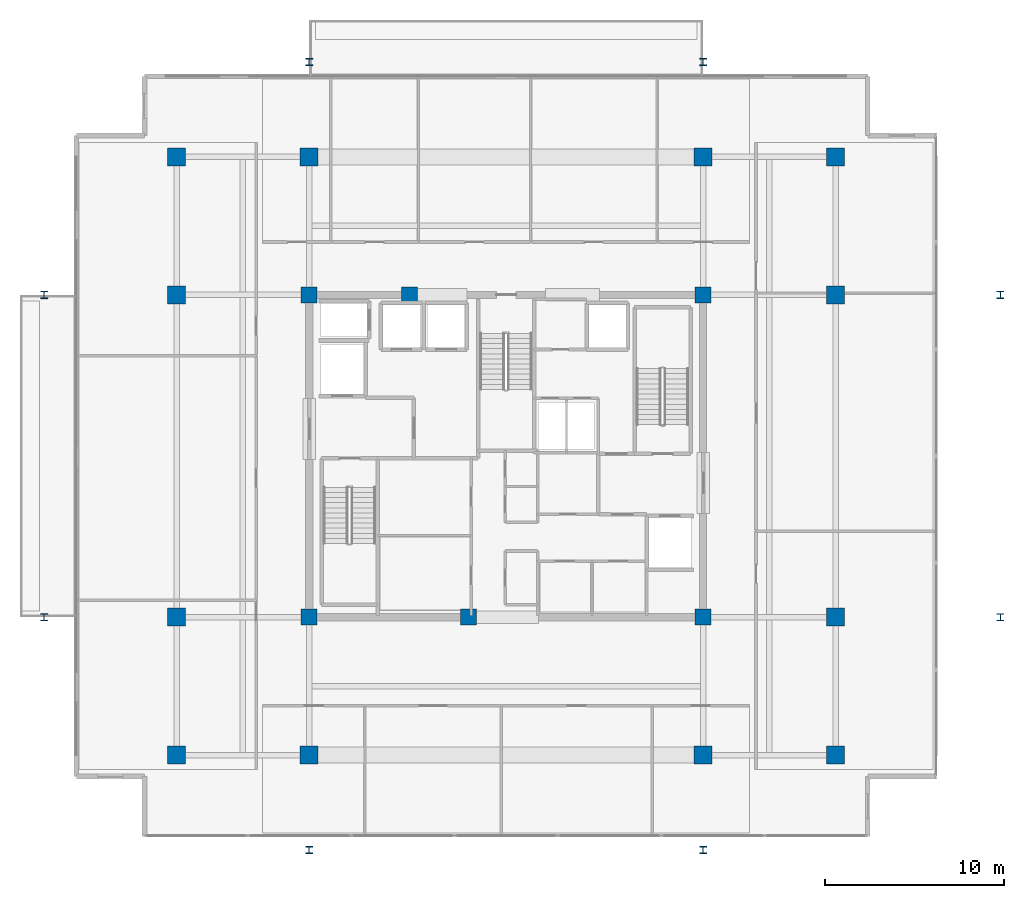
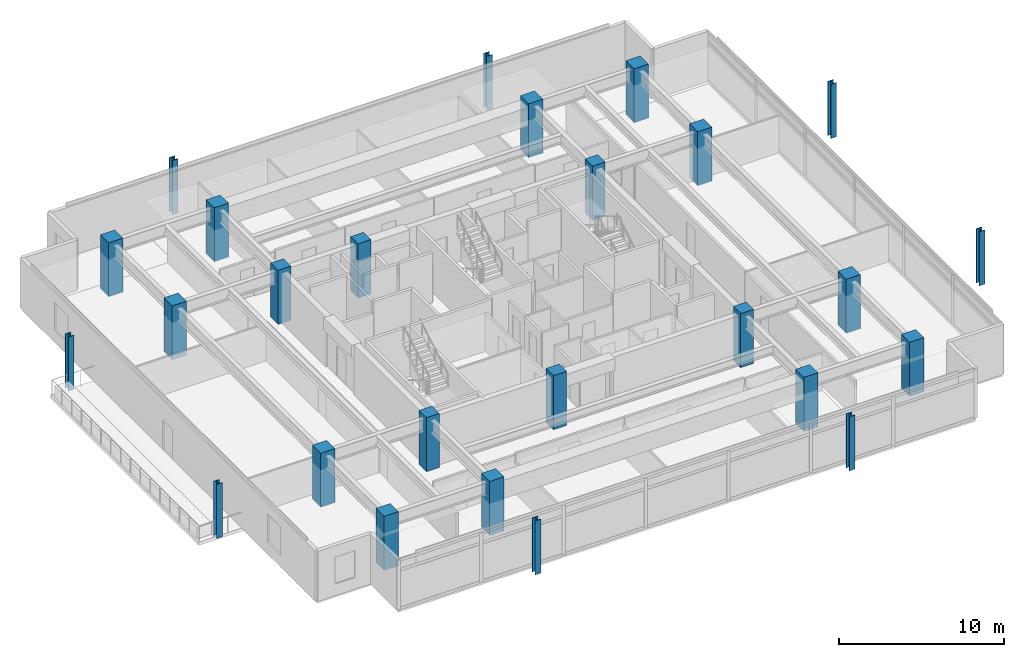
# One storey, part 1 of 18: 26 columns.
"""IFC4 building model written with IfcOpenShell, lengths in metres."""

from ifc_helpers import new_model, si_unit, direction, frame, origin, origin_2d, place, context, subcontext, project, spatial, rectangle, i_section, extrude, material, material_profile, profile_set, type_object, element, save


model = new_model("IFC4")

# Units and contexts
model_context = context("Model", 3, precision=1e-05, world=origin(), true_north=direction((0.0, 1.0)))
body_context = subcontext(model_context, "Body", "Model", "MODEL_VIEW")
ifc_project = project(units=[si_unit("LENGTHUNIT", "METRE"), si_unit("AREAUNIT", "SQUARE_METRE"), si_unit("VOLUMEUNIT", "CUBIC_METRE"), si_unit("PLANEANGLEUNIT", "RADIAN"), si_unit("MASSUNIT", "GRAM", prefix="KILO")], contexts=[model_context])

# Site, building, storey
site_placement = place(None, origin())
site = spatial("IfcSite", under=ifc_project, at=site_placement, CompositionType="ELEMENT")
building_placement = place(site_placement, origin())
building = spatial("IfcBuilding", under=site, at=building_placement, Name="Kovane Verandah Tower", CompositionType="ELEMENT")
storey_placement = place(building_placement, frame((0.0, 0.0, 338.800048828125)))
storey = spatial("IfcBuildingStorey", under=building, at=storey_placement, Name="L79", CompositionType="ELEMENT", Elevation=338.800048828125)

# Columns
ifc_material_1 = material(Name="Concrete C60/75", Category="concrete")
ifc_material_profile_1 = material_profile(ifc_material_1, rectangle(XDim=1.0, YDim=1.0, at=origin_2d()), Name="RC1000x1000")
ifc_profile_set_1 = profile_set([ifc_material_profile_1], Name="Concrete C60/75")
column_type_1 = type_object("IfcColumnType", Name="COL-RC1000", PredefinedType="COLUMN", material=ifc_profile_set_1)
for number, where, z_axis, x_axis, name in (
    (1, (29.0, 10.800048828125, 0.0), (0.0, 0.0, 1.0), (1.0, 0.0, 0.0), "L79 Tower Mega-Column MC-S1"),
    (2, (51.0, 10.800048828125, 0.0), (0.0, 0.0, 1.0), (1.0, 0.0, 0.0), "L79 Tower Mega-Column MC-S2"),
    (3, (29.0, 44.199951171875, 0.0), (0.0, 0.0, 1.0), (1.0, 0.0, 0.0), "L79 Tower Mega-Column MC-N1"),
    (4, (51.0, 44.199951171875, 0.0), (0.0, 0.0, 1.0), (1.0, 0.0, 0.0), "L79 Tower Mega-Column MC-N2"),
    (5, (21.60009765625, 18.5, 0.0), (0.0, 0.0, 1.0), (1.0, 0.0, 0.0), "L79 Tower Mega-Column MC-W1"),
    (6, (21.60009765625, 36.5, 0.0), (0.0, 0.0, 1.0), (1.0, 0.0, 0.0), "L79 Tower Mega-Column MC-W2"),
    (7, (58.39990234375, 18.5, 0.0), (0.0, 0.0, 1.0), (1.0, 0.0, 0.0), "L79 Tower Mega-Column MC-E1"),
    (8, (58.39990234375, 36.5, 0.0), (0.0, 0.0, 1.0), (1.0, 0.0, 0.0), "L79 Tower Mega-Column MC-E2"),
    (9, (21.60009765625, 10.800048828125, 0.0), (0.0, 0.0, 1.0), (1.0, 0.0, 0.0), "L79 Tower Mega-Column MC-SW"),
    (10, (58.39990234375, 10.800048828125, 0.0), (0.0, 0.0, 1.0), (1.0, 0.0, 0.0), "L79 Tower Mega-Column MC-SE"),
    (11, (21.60009765625, 44.199951171875, 0.0), (0.0, 0.0, 1.0), (1.0, 0.0, 0.0), "L79 Tower Mega-Column MC-NW"),
    (12, (58.39990234375, 44.199951171875, 0.0), (0.0, 0.0, 1.0), (1.0, 0.0, 0.0), "L79 Tower Mega-Column MC-NE"),
):
    element("IfcColumn", number, at=place(storey_placement, frame(where, z_axis=z_axis, x_axis=x_axis)), inside=storey, type_object=column_type_1, Name=name, PredefinedType="COLUMN", context=body_context, shape_type="SweptSolid", body=[
        extrude(rectangle(XDim=1.0, YDim=1.0, at=origin_2d()), origin(), (0.0, 0.0, 1.0), 4.0),
    ])
ifc_material_2 = material(Name="Steel S460", Category="steel")
ifc_material_profile_2 = material_profile(ifc_material_2, i_section(OverallWidth=0.403076171875, OverallDepth=0.406494140625, WebThickness=0.026611328125, FlangeThickness=0.04296875, FilletRadius=0.01513671875, at=origin_2d()), Name="UC356x406x340")
ifc_profile_set_2 = profile_set([ifc_material_profile_2], Name="Steel S460")
column_type_2 = type_object("IfcColumnType", Name="COL-UC340", PredefinedType="COLUMN", material=ifc_profile_set_2)
for number, where, z_axis, x_axis, name in (
    (13, (14.199951171875, 18.5, 0.0), (0.0, 0.0, 1.0), (1.0, 0.0, 0.0), "L79 Verandah Perimeter Column VC-W1"),
    (14, (14.199951171875, 36.5, 0.0), (0.0, 0.0, 1.0), (1.0, 0.0, 0.0), "L79 Verandah Perimeter Column VC-W2"),
    (15, (67.60009765625, 18.5, 0.0), (0.0, 0.0, 1.0), (1.0, 0.0, 0.0), "L79 Verandah Perimeter Column VC-E1"),
    (16, (67.60009765625, 36.5, 0.0), (0.0, 0.0, 1.0), (1.0, 0.0, 0.0), "L79 Verandah Perimeter Column VC-E2"),
    (17, (29.0, 5.5, 0.0), (0.0, 0.0, 1.0), (1.0, 0.0, 0.0), "L79 Verandah Perimeter Column VC-S1"),
    (18, (51.0, 5.5, 0.0), (0.0, 0.0, 1.0), (1.0, 0.0, 0.0), "L79 Verandah Perimeter Column VC-S2"),
    (19, (29.0, 49.5, 0.0), (0.0, 0.0, 1.0), (1.0, 0.0, 0.0), "L79 Verandah Perimeter Column VC-N1"),
    (20, (51.0, 49.5, 0.0), (0.0, 0.0, 1.0), (1.0, 0.0, 0.0), "L79 Verandah Perimeter Column VC-N2"),
):
    element("IfcColumn", number, at=place(storey_placement, frame(where, z_axis=z_axis, x_axis=x_axis)), inside=storey, type_object=column_type_2, Name=name, PredefinedType="COLUMN", context=body_context, shape_type="SweptSolid", body=[
        extrude(i_section(OverallWidth=0.403076171875, OverallDepth=0.406494140625, WebThickness=0.026611328125, FlangeThickness=0.04296875, FilletRadius=0.01513671875, at=origin_2d()), origin(), (0.0, 0.0, 1.0), 4.0),
    ])
ifc_material_profile_3 = material_profile(ifc_material_1, rectangle(XDim=0.89990234375, YDim=0.89990234375, at=origin_2d()), Name="RC900x900")
ifc_profile_set_3 = profile_set([ifc_material_profile_3], Name="Concrete C60/75")
column_type_3 = type_object("IfcColumnType", Name="PIL-RC900", PredefinedType="PILASTER", material=ifc_profile_set_3)
for number, where, z_axis, x_axis, name in (
    (21, (29.0, 18.5, 0.0), (0.0, 0.0, 1.0), (1.0, 0.0, 0.0), "L79 Core Pilaster CP-SW"),
    (22, (51.0, 18.5, 0.0), (0.0, 0.0, 1.0), (1.0, 0.0, 0.0), "L79 Core Pilaster CP-SE"),
    (23, (29.0, 36.5, 0.0), (0.0, 0.0, 1.0), (1.0, 0.0, 0.0), "L79 Core Pilaster CP-NW"),
    (24, (51.0, 36.5, 0.0), (0.0, 0.0, 1.0), (1.0, 0.0, 0.0), "L79 Core Pilaster CP-NE"),
    (25, (37.89990234375, 18.5, 0.0), (0.0, 0.0, 1.0), (1.0, 0.0, 0.0), "L79 Core Pilaster CP-S"),
    (26, (34.60009765625, 36.5, 0.0), (0.0, 0.0, 1.0), (1.0, 0.0, 0.0), "L79 Core Pilaster CP-N"),
):
    element("IfcColumn", number, at=place(storey_placement, frame(where, z_axis=z_axis, x_axis=x_axis)), inside=storey, type_object=column_type_3, Name=name, PredefinedType="PILASTER", context=body_context, shape_type="SweptSolid", body=[
        extrude(rectangle(XDim=0.89990234375, YDim=0.89990234375, at=origin_2d()), origin(), (0.0, 0.0, 1.0), 4.0),
    ])

save(model, "model.ifc")
